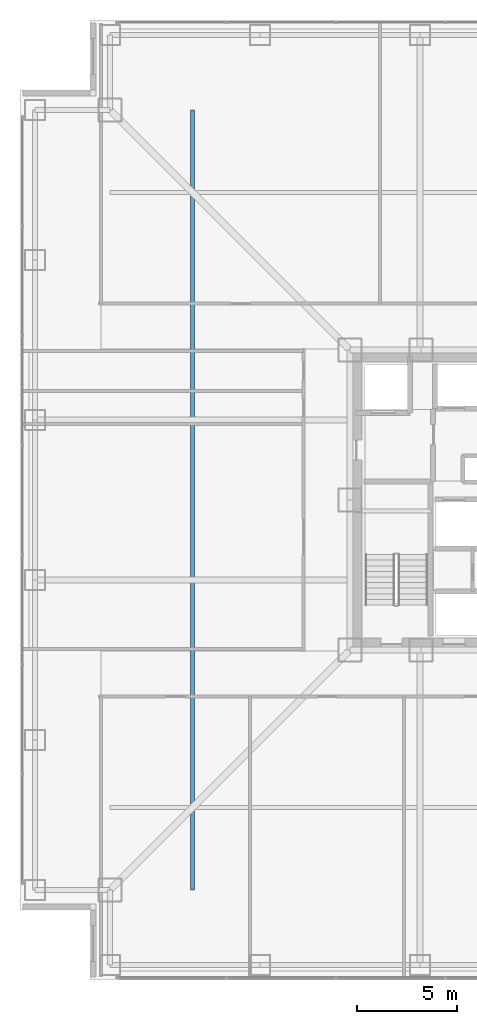
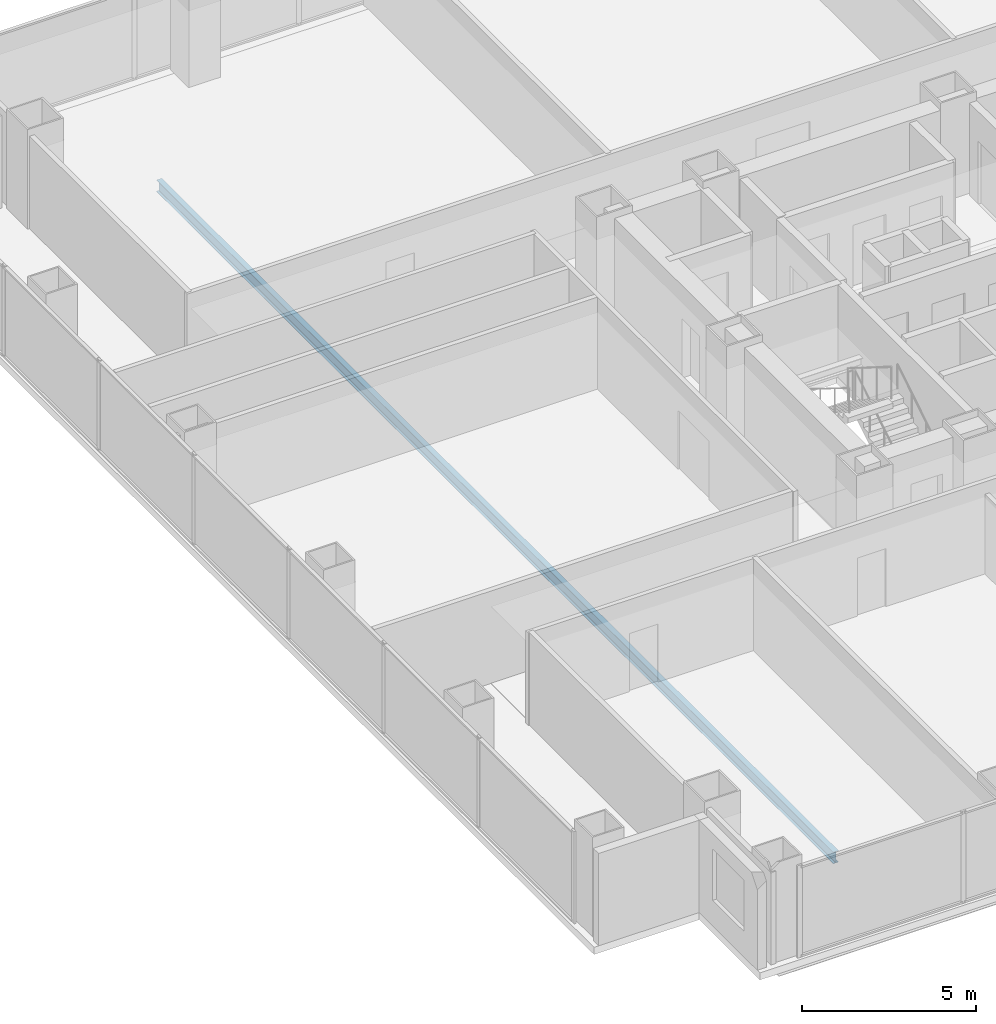
# One storey, part 5 of 19: 1 beam.
"""IFC4 building model written with IfcOpenShell, lengths in metres."""

from ifc_helpers import new_model, si_unit, direction, frame, origin, origin_2d, place, context, subcontext, project, spatial, i_section, extrude, material, material_profile, profile_set, type_object, element, save


model = new_model("IFC4")

# Units and contexts
model_context = context("Model", 3, precision=1e-05, world=origin(), true_north=direction((0.0, 1.0)))
body_context = subcontext(model_context, "Body", "Model", "MODEL_VIEW")
ifc_project = project(units=[si_unit("LENGTHUNIT", "METRE"), si_unit("AREAUNIT", "SQUARE_METRE"), si_unit("VOLUMEUNIT", "CUBIC_METRE"), si_unit("PLANEANGLEUNIT", "RADIAN"), si_unit("MASSUNIT", "GRAM", prefix="KILO")], contexts=[model_context])

# Site, building, storey
site_placement = place(None, origin())
site = spatial("IfcSite", under=ifc_project, at=site_placement, CompositionType="ELEMENT")
building_placement = place(site_placement, origin())
building = spatial("IfcBuilding", under=site, at=building_placement, Name="Trevonay Congress Spire", CompositionType="ELEMENT")
storey_placement = place(building_placement, frame((0.0, 0.0, 41.0)))
storey = spatial("IfcBuildingStorey", under=building, at=storey_placement, Name="L09", CompositionType="ELEMENT", Elevation=41.0)

# Beam
ifc_material = material(Name="Steel ASTM A572 Grade 50", Category="steel")
ifc_material_profile = material_profile(ifc_material, i_section(OverallWidth=0.177978515625, OverallDepth=0.406982421875, WebThickness=0.0078125, FlangeThickness=0.0126953125, FilletRadius=0.012939453125, at=origin_2d()), Name="W410x60")
ifc_profile_set = profile_set([ifc_material_profile], Name="Steel ASTM A572 Grade 50")
beam_type = type_object("IfcBeamType", Name="JS-COMP-W410X60", PredefinedType="JOIST", material=ifc_profile_set)
beam_placement = place(storey_placement, frame((-15.375, -19.5, -0.45361328125), z_axis=(0.0, 1.0, 0.0), x_axis=(-1.0, 0.0, 0.0)))
element("IfcBeam", 1, at=beam_placement, inside=storey, type_object=beam_type, Name="L09 structural beam JS-L09-RING-W", PredefinedType="JOIST", context=body_context, shape_type="SweptSolid", body=[
    extrude(i_section(OverallWidth=0.177978515625, OverallDepth=0.406982421875, WebThickness=0.0078125, FlangeThickness=0.0126953125, FilletRadius=0.012939453125, at=origin_2d()), origin(), (0.0, 0.0, 1.0), 39.0),
])

save(model, "model.ifc")
